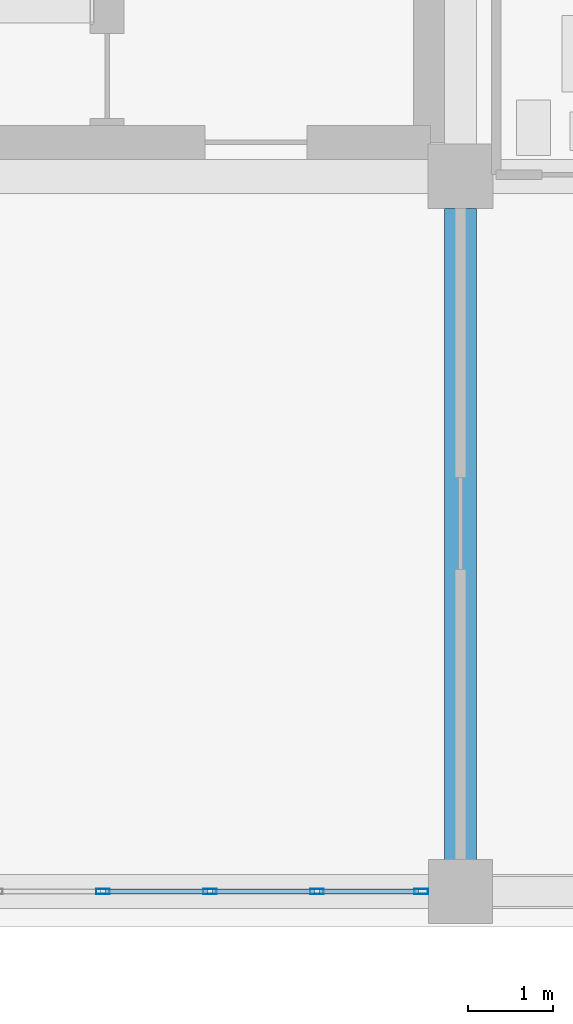
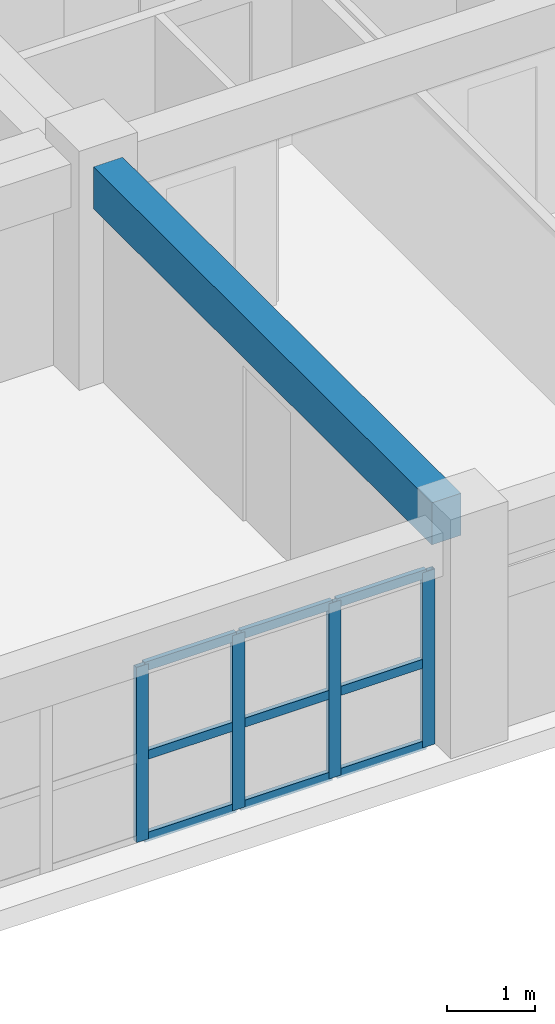
# One storey, part 30 of 200: 13 members, 1 beam, 1 element without a shape of its own.
"""IFC4 building model written with IfcOpenShell, lengths in metres."""

from ifc_helpers import new_model, si_unit, direction, frame, origin, origin_2d, place, context, subcontext, project, spatial, rectangle, hollow_rectangle, extrude, material, layer, layer_set, material_profile, profile_set, type_object, element, aggregate, save


model = new_model("IFC4")

# Units and contexts
model_context = context("Model", 3, precision=1e-05, world=origin(), true_north=direction((0.0, 1.0)))
body_context = subcontext(model_context, "Body", "Model", "MODEL_VIEW")
ifc_project = project(units=[si_unit("LENGTHUNIT", "METRE"), si_unit("AREAUNIT", "SQUARE_METRE"), si_unit("VOLUMEUNIT", "CUBIC_METRE"), si_unit("PLANEANGLEUNIT", "RADIAN"), si_unit("MASSUNIT", "GRAM", prefix="KILO")], contexts=[model_context])

# Site, building, storey
site_placement = place(None, origin())
site = spatial("IfcSite", under=ifc_project, at=site_placement, CompositionType="ELEMENT")
building_placement = place(site_placement, origin())
building = spatial("IfcBuilding", under=site, at=building_placement, Name="Trelvath General Hospital", CompositionType="ELEMENT")
storey_placement = place(building_placement, frame((0.0, 0.0, 4.800048828125)))
storey = spatial("IfcBuildingStorey", under=building, at=storey_placement, Name="L01", CompositionType="ELEMENT", Elevation=4.800048828125)

# Beam
ifc_material_1 = material(Name="Concrete C35/45", Category="concrete")
ifc_material_profile_1 = material_profile(ifc_material_1, rectangle(XDim=0.3798828125, YDim=0.580078125, at=origin_2d()), Name="RCB380x580")
ifc_profile_set_1 = profile_set([ifc_material_profile_1], Name="Concrete C35/45")
beam_type = type_object("IfcBeamType", Name="Beam RC380x580", PredefinedType="BEAM", material=ifc_profile_set_1)
beam_placement = place(storey_placement, frame((50.39990234375, 0.3701171875, 2.72998046875), z_axis=(0.0, 1.0, 0.0), x_axis=(-1.0, 0.0, 0.0)))
element("IfcBeam", 1, at=beam_placement, inside=storey, type_object=beam_type, Name="Grid Beam BY-106A", PredefinedType="BEAM", context=body_context, shape_type="SweptSolid", body=[
    extrude(rectangle(XDim=0.3798828125, YDim=0.580078125, at=origin_2d()), origin(), (0.0, 0.0, 1.0), 7.65478515625),
])

# Curtain wall, members
ifc_material_2 = material(Name="Anodised aluminium and low-E glass", Category="aluminium")
ifc_layer = layer(ifc_material_2, 0.159912109375)
ifc_layer_set = layer_set([ifc_layer], Name="Anodised aluminium and low-E glass")
curtain_wall_type = type_object("IfcCurtainWallType", Name="CW Facade 754 242 16", PredefinedType="USERDEFINED", material=ifc_layer_set)
curtain_wall_placement = place(storey_placement, origin())
curtain_wall = element("IfcCurtainWall", 2, at=curtain_wall_placement, inside=storey, type_object=curtain_wall_type, Name="Facade Curtain Wall CW-014", ObjectType="Unitised Glazed Curtain Wall", PredefinedType="USERDEFINED")
ifc_material_3 = material(Name="Anodised aluminium", Category="aluminium")
ifc_material_profile_2 = material_profile(ifc_material_3, hollow_rectangle(XDim=0.06005859375, YDim=0.159912109375, WallThickness=0.00390625, at=origin_2d()), Name="RHS60x160x4")
ifc_profile_set_2 = profile_set([ifc_material_profile_2], Name="Anodised aluminium")
member_type_1 = type_object("IfcMemberType", Name="CurtainMullion 60x160", PredefinedType="MULLION", material=ifc_profile_set_2)
member_1_placement = place(storey_placement, frame((49.93994140625, 0.0, 0.0), z_axis=(0.0, 0.0, 1.0), x_axis=(0.0, -1.0, 0.0)))
member_1 = element("IfcMember", 3, at=member_1_placement, type_object=member_type_1, Name="CW-014 mullion 1", PredefinedType="MULLION", context=body_context, shape_type="SweptSolid", body=[
    extrude(hollow_rectangle(XDim=0.06005859375, YDim=0.159912109375, WallThickness=0.00390625, at=origin_2d()), origin(), (0.0, 0.0, 1.0), 2.419921875),
])
member_2_placement = place(storey_placement, frame((48.71337890625, 0.0, 0.0), z_axis=(0.0, 0.0, 1.0), x_axis=(0.0, -1.0, 0.0)))
member_2 = element("IfcMember", 4, at=member_2_placement, type_object=member_type_1, Name="CW-014 mullion 2", PredefinedType="MULLION", context=body_context, shape_type="SweptSolid", body=[
    extrude(hollow_rectangle(XDim=0.06005859375, YDim=0.159912109375, WallThickness=0.00390625, at=origin_2d()), origin(), (0.0, 0.0, 1.0), 2.419921875),
])
member_3_placement = place(storey_placement, frame((47.456787109375, 0.0, 0.0), z_axis=(0.0, 0.0, 1.0), x_axis=(0.0, -1.0, 0.0)))
member_3 = element("IfcMember", 5, at=member_3_placement, type_object=member_type_1, Name="CW-014 mullion 3", PredefinedType="MULLION", context=body_context, shape_type="SweptSolid", body=[
    extrude(hollow_rectangle(XDim=0.06005859375, YDim=0.159912109375, WallThickness=0.00390625, at=origin_2d()), origin(), (0.0, 0.0, 1.0), 2.419921875),
])
member_4_placement = place(storey_placement, frame((46.199951171875, 0.0, 0.0), z_axis=(0.0, 0.0, 1.0), x_axis=(0.0, -1.0, 0.0)))
member_4 = element("IfcMember", 6, at=member_4_placement, type_object=member_type_1, Name="CW-014 mullion 4", PredefinedType="MULLION", context=body_context, shape_type="SweptSolid", body=[
    extrude(hollow_rectangle(XDim=0.06005859375, YDim=0.159912109375, WallThickness=0.00390625, at=origin_2d()), origin(), (0.0, 0.0, 1.0), 2.419921875),
])
ifc_material_4 = material(Name="Anodised aluminium", Category="aluminium")
ifc_material_profile_3 = material_profile(ifc_material_4, hollow_rectangle(XDim=0.06005859375, YDim=0.125, WallThickness=0.00390625, at=origin_2d()), Name="RHS60x125x4")
ifc_profile_set_3 = profile_set([ifc_material_profile_3], Name="Anodised aluminium")
member_type_2 = type_object("IfcMemberType", Name="CurtainTransom 60x125", PredefinedType="USERDEFINED", material=ifc_profile_set_3)
member_5_placement = place(storey_placement, frame((49.909912109375, 0.0, 0.030029296875), z_axis=(-1.0, 0.0, 0.0), x_axis=(0.0, -1.0, 0.0)))
member_5 = element("IfcMember", 7, at=member_5_placement, type_object=member_type_2, Name="CW-014 transom 1.1", ObjectType="TRANSOM", PredefinedType="USERDEFINED", context=body_context, shape_type="SweptSolid", body=[
    extrude(hollow_rectangle(XDim=0.06005859375, YDim=0.125, WallThickness=0.00390625, at=origin_2d()), origin(), (0.0, 0.0, 1.0), 1.16650390625),
])
member_6_placement = place(storey_placement, frame((49.909912109375, 0.0, 1.161865234375), z_axis=(-1.0, 0.0, 0.0), x_axis=(0.0, -1.0, 0.0)))
member_6 = element("IfcMember", 8, at=member_6_placement, type_object=member_type_2, Name="CW-014 transom 1.2", ObjectType="TRANSOM", PredefinedType="USERDEFINED", context=body_context, shape_type="SweptSolid", body=[
    extrude(hollow_rectangle(XDim=0.06005859375, YDim=0.125, WallThickness=0.00390625, at=origin_2d()), origin(), (0.0, 0.0, 1.0), 1.16650390625),
])
member_7_placement = place(storey_placement, frame((49.909912109375, 0.0, 2.389892578125), z_axis=(-1.0, 0.0, 0.0), x_axis=(0.0, -1.0, 0.0)))
member_7 = element("IfcMember", 9, at=member_7_placement, type_object=member_type_2, Name="CW-014 transom 1.3", ObjectType="TRANSOM", PredefinedType="USERDEFINED", context=body_context, shape_type="SweptSolid", body=[
    extrude(hollow_rectangle(XDim=0.06005859375, YDim=0.125, WallThickness=0.00390625, at=origin_2d()), origin(), (0.0, 0.0, 1.0), 1.16650390625),
])
member_8_placement = place(storey_placement, frame((48.683349609375, 0.0, 0.030029296875), z_axis=(-1.0, 0.0, 0.0), x_axis=(0.0, -1.0, 0.0)))
member_8 = element("IfcMember", 10, at=member_8_placement, type_object=member_type_2, Name="CW-014 transom 2.1", ObjectType="TRANSOM", PredefinedType="USERDEFINED", context=body_context, shape_type="SweptSolid", body=[
    extrude(hollow_rectangle(XDim=0.06005859375, YDim=0.125, WallThickness=0.00390625, at=origin_2d()), origin(), (0.0, 0.0, 1.0), 1.19677734375),
])
member_9_placement = place(storey_placement, frame((48.683349609375, 0.0, 1.161865234375), z_axis=(-1.0, 0.0, 0.0), x_axis=(0.0, -1.0, 0.0)))
member_9 = element("IfcMember", 11, at=member_9_placement, type_object=member_type_2, Name="CW-014 transom 2.2", ObjectType="TRANSOM", PredefinedType="USERDEFINED", context=body_context, shape_type="SweptSolid", body=[
    extrude(hollow_rectangle(XDim=0.06005859375, YDim=0.125, WallThickness=0.00390625, at=origin_2d()), origin(), (0.0, 0.0, 1.0), 1.19677734375),
])
member_10_placement = place(storey_placement, frame((48.683349609375, 0.0, 2.389892578125), z_axis=(-1.0, 0.0, 0.0), x_axis=(0.0, -1.0, 0.0)))
member_10 = element("IfcMember", 12, at=member_10_placement, type_object=member_type_2, Name="CW-014 transom 2.3", ObjectType="TRANSOM", PredefinedType="USERDEFINED", context=body_context, shape_type="SweptSolid", body=[
    extrude(hollow_rectangle(XDim=0.06005859375, YDim=0.125, WallThickness=0.00390625, at=origin_2d()), origin(), (0.0, 0.0, 1.0), 1.19677734375),
])
member_11_placement = place(storey_placement, frame((47.4267578125, 0.0, 0.030029296875), z_axis=(-1.0, 0.0, 0.0), x_axis=(0.0, -1.0, 0.0)))
member_11 = element("IfcMember", 13, at=member_11_placement, type_object=member_type_2, Name="CW-014 transom 3.1", ObjectType="TRANSOM", PredefinedType="USERDEFINED", context=body_context, shape_type="SweptSolid", body=[
    extrude(hollow_rectangle(XDim=0.06005859375, YDim=0.125, WallThickness=0.00390625, at=origin_2d()), origin(), (0.0, 0.0, 1.0), 1.19677734375),
])
member_12_placement = place(storey_placement, frame((47.4267578125, 0.0, 1.161865234375), z_axis=(-1.0, 0.0, 0.0), x_axis=(0.0, -1.0, 0.0)))
member_12 = element("IfcMember", 14, at=member_12_placement, type_object=member_type_2, Name="CW-014 transom 3.2", ObjectType="TRANSOM", PredefinedType="USERDEFINED", context=body_context, shape_type="SweptSolid", body=[
    extrude(hollow_rectangle(XDim=0.06005859375, YDim=0.125, WallThickness=0.00390625, at=origin_2d()), origin(), (0.0, 0.0, 1.0), 1.19677734375),
])
member_13_placement = place(storey_placement, frame((47.4267578125, 0.0, 2.389892578125), z_axis=(-1.0, 0.0, 0.0), x_axis=(0.0, -1.0, 0.0)))
member_13 = element("IfcMember", 15, at=member_13_placement, type_object=member_type_2, Name="CW-014 transom 3.3", ObjectType="TRANSOM", PredefinedType="USERDEFINED", context=body_context, shape_type="SweptSolid", body=[
    extrude(hollow_rectangle(XDim=0.06005859375, YDim=0.125, WallThickness=0.00390625, at=origin_2d()), origin(), (0.0, 0.0, 1.0), 1.19677734375),
])
aggregate(curtain_wall, [member_1, member_2, member_3, member_4, member_5, member_6, member_7, member_8, member_9, member_10, member_11, member_12, member_13])

save(model, "model.ifc")
